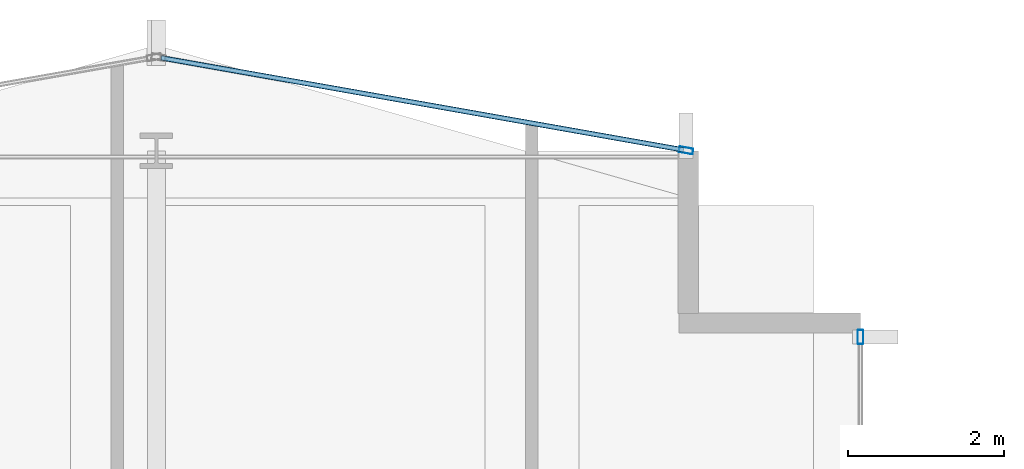
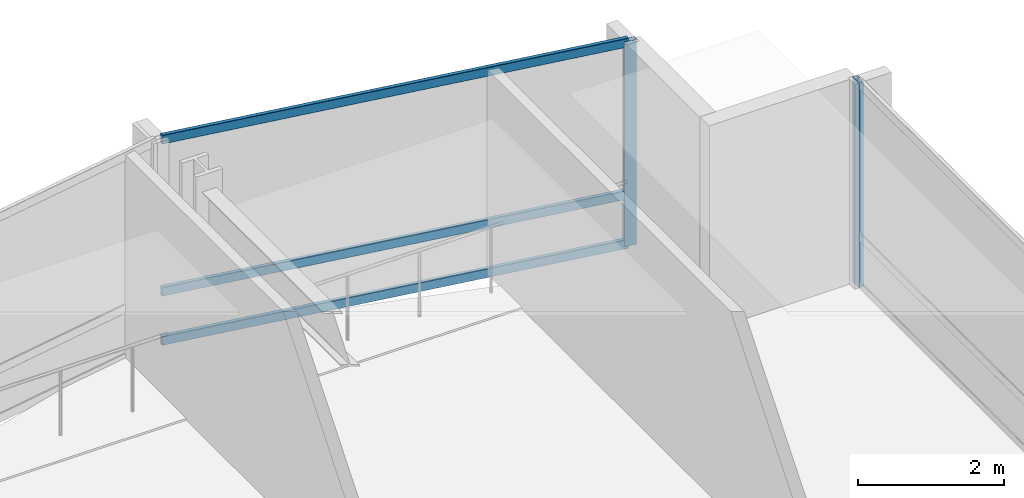
# One storey, part 20 of 28: 5 members, 2 elements without a shape of their own.
"""IFC4 building model written with IfcOpenShell, lengths in metres."""

from ifc_helpers import new_model, si_unit, direction, frame, origin, origin_2d, place, context, subcontext, project, spatial, hollow_rectangle, extrude, material, layer, layer_set, material_profile, profile_set, type_object, element, aggregate, save


model = new_model("IFC4")

# Units and contexts
model_context = context("Model", 3, precision=1e-05, world=origin(), true_north=direction((0.0, 1.0)))
body_context = subcontext(model_context, "Body", "Model", "MODEL_VIEW")
ifc_project = project(units=[si_unit("LENGTHUNIT", "METRE"), si_unit("AREAUNIT", "SQUARE_METRE"), si_unit("VOLUMEUNIT", "CUBIC_METRE"), si_unit("PLANEANGLEUNIT", "RADIAN"), si_unit("MASSUNIT", "GRAM", prefix="KILO")], contexts=[model_context])

# Site, building, storey
site_placement = place(None, origin())
site = spatial("IfcSite", under=ifc_project, at=site_placement, CompositionType="ELEMENT")
building_placement = place(site_placement, origin())
building = spatial("IfcBuilding", under=site, at=building_placement, Name="Solvaryn Broadcast Tower", CompositionType="ELEMENT")
storey_placement = place(building_placement, frame((0.0, 0.0, 110.0)))
storey = spatial("IfcBuildingStorey", under=building, at=storey_placement, Name="L26", CompositionType="ELEMENT", Elevation=110.0)

# Curtain wall, member
ifc_material_1 = material(Name="Aluminium and Terracotta Unitised Curtain Wall", Category="masonry")
ifc_layer = layer(ifc_material_1, 0.199951171875)
ifc_layer_set = layer_set([ifc_layer], Name="CW-SYS2-LOWMID")
curtain_wall_type = type_object("IfcCurtainWallType", Name="CW-SYS2-LOWMID", PredefinedType="NOTDEFINED", material=ifc_layer_set)
curtain_wall_1_placement = place(storey_placement, origin())
curtain_wall_1 = element("IfcCurtainWall", 1, at=curtain_wall_1_placement, inside=storey, type_object=curtain_wall_type, Name="L26 Curtain Wall IV", PredefinedType="NOTDEFINED")
ifc_material_2 = material(Name="Anodised Aluminium 6063-T6", Category="aluminium")
ifc_material_profile_1 = material_profile(ifc_material_2, hollow_rectangle(XDim=0.074951171875, YDim=0.179931640625, WallThickness=0.00390625, InnerFilletRadius=0.00390625, OuterFilletRadius=0.008056640625, at=origin_2d()))
ifc_profile_set_1 = profile_set([ifc_material_profile_1], Name="Anodised Aluminium 6063-T6")
member_type_1 = type_object("IfcMemberType", Name="CW-MUL-180", PredefinedType="MULLION", material=ifc_profile_set_1)
member_1_placement = place(storey_placement, frame((27.0, 51.6201171875, 0.0), z_axis=(0.0, 0.0, 1.0), x_axis=(1.0, 0.0, 0.0)))
member_1 = element("IfcMember", 2, at=member_1_placement, type_object=member_type_1, Name="CWS2 mullion 1", PredefinedType="MULLION", context=body_context, shape_type="SweptSolid", body=[
    extrude(hollow_rectangle(XDim=0.074951171875, YDim=0.179931640625, WallThickness=0.00390625, InnerFilletRadius=0.00390625, OuterFilletRadius=0.008056640625, at=origin_2d()), origin(), (0.0, 0.0, 1.0), 3.419921875),
])
aggregate(curtain_wall_1, [member_1])

# Curtain wall, members
curtain_wall_2_placement = place(storey_placement, origin())
curtain_wall_2 = element("IfcCurtainWall", 3, at=curtain_wall_2_placement, inside=storey, type_object=curtain_wall_type, Name="L26 Curtain Wall NT1", PredefinedType="NOTDEFINED")
member_2_placement = place(storey_placement, frame((24.7705078125, 54.005126953125, 0.0), z_axis=(0.0, 0.0, 1.0), x_axis=(-0.173785333901, -0.984783558819, 0.0)))
member_2 = element("IfcMember", 4, at=member_2_placement, type_object=member_type_1, Name="CWS2 mullion 1", PredefinedType="MULLION", context=body_context, shape_type="SweptSolid", body=[
    extrude(hollow_rectangle(XDim=0.074951171875, YDim=0.179931640625, WallThickness=0.00390625, InnerFilletRadius=0.00390625, OuterFilletRadius=0.008056640625, at=origin_2d()), origin(), (0.0, 0.0, 1.0), 3.419921875),
])
ifc_material_3 = material(Name="Anodised Aluminium 6063-T6", Category="aluminium")
ifc_material_profile_2 = material_profile(ifc_material_3, hollow_rectangle(XDim=0.06494140625, YDim=0.14990234375, WallThickness=0.00390625, InnerFilletRadius=0.00390625, OuterFilletRadius=0.008056640625, at=origin_2d()))
ifc_profile_set_2 = profile_set([ifc_material_profile_2], Name="Anodised Aluminium 6063-T6")
member_type_2 = type_object("IfcMemberType", Name="CW-TRN-150", PredefinedType="USERDEFINED", material=ifc_profile_set_2)
member_3_placement = place(storey_placement, frame((24.740966796875, 54.010498046875, 0.030029296875), z_axis=(-0.984788629673, 0.173756596613, 0.0), x_axis=(-0.173756596613, -0.984788629673, 0.0)))
member_3 = element("IfcMember", 5, at=member_3_placement, type_object=member_type_2, Name="CWS2 transom 1.1", ObjectType="TRANSOM", PredefinedType="USERDEFINED", context=body_context, shape_type="SweptSolid", body=[
    extrude(hollow_rectangle(XDim=0.06494140625, YDim=0.14990234375, WallThickness=0.00390625, InnerFilletRadius=0.00390625, OuterFilletRadius=0.008056640625, at=origin_2d()), origin(), (0.0, 0.0, 1.0), 6.78515625),
])
member_4_placement = place(storey_placement, frame((24.740966796875, 54.010498046875, 0.85009765625), z_axis=(-0.984788629673, 0.173756596613, 0.0), x_axis=(-0.173756596613, -0.984788629673, 0.0)))
member_4 = element("IfcMember", 6, at=member_4_placement, type_object=member_type_2, Name="CWS2 transom 1.2", ObjectType="TRANSOM", PredefinedType="USERDEFINED", context=body_context, shape_type="SweptSolid", body=[
    extrude(hollow_rectangle(XDim=0.06494140625, YDim=0.14990234375, WallThickness=0.00390625, InnerFilletRadius=0.00390625, OuterFilletRadius=0.008056640625, at=origin_2d()), origin(), (0.0, 0.0, 1.0), 6.78515625),
])
member_5_placement = place(storey_placement, frame((24.740966796875, 54.010498046875, 3.389892578125), z_axis=(-0.984788629673, 0.173756596613, 0.0), x_axis=(-0.173756596613, -0.984788629673, 0.0)))
member_5 = element("IfcMember", 7, at=member_5_placement, type_object=member_type_2, Name="CWS2 transom 1.3", ObjectType="TRANSOM", PredefinedType="USERDEFINED", context=body_context, shape_type="SweptSolid", body=[
    extrude(hollow_rectangle(XDim=0.06494140625, YDim=0.14990234375, WallThickness=0.00390625, InnerFilletRadius=0.00390625, OuterFilletRadius=0.008056640625, at=origin_2d()), origin(), (0.0, 0.0, 1.0), 6.78515625),
])
aggregate(curtain_wall_2, [member_2, member_3, member_4, member_5])

save(model, "model.ifc")
